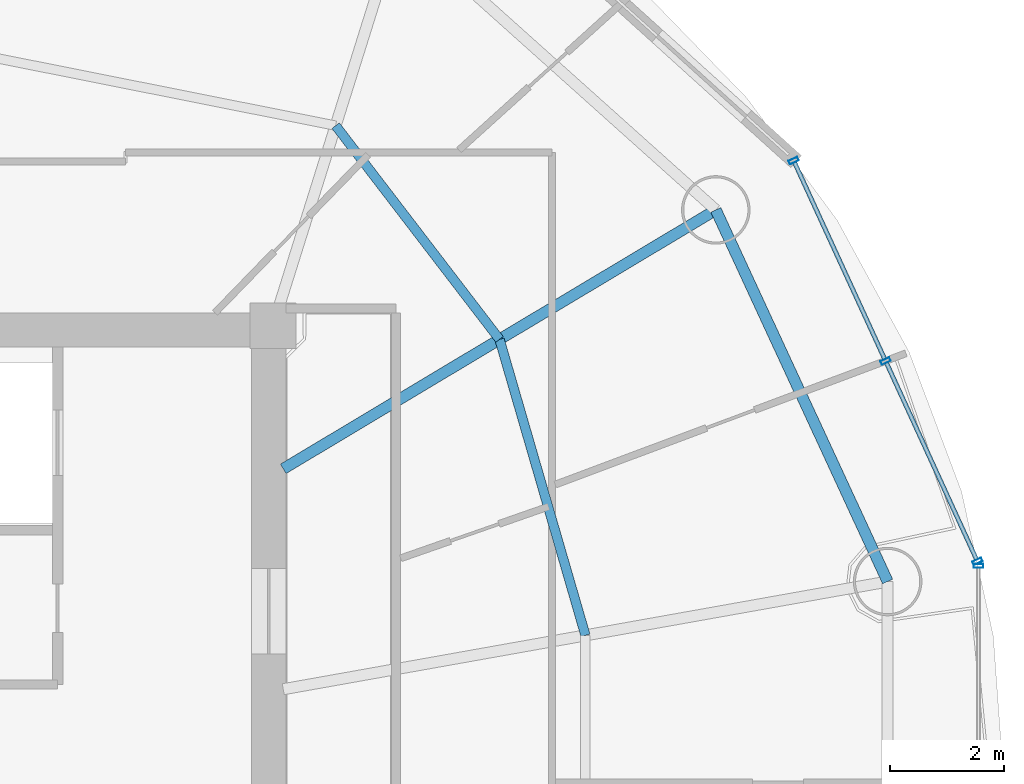
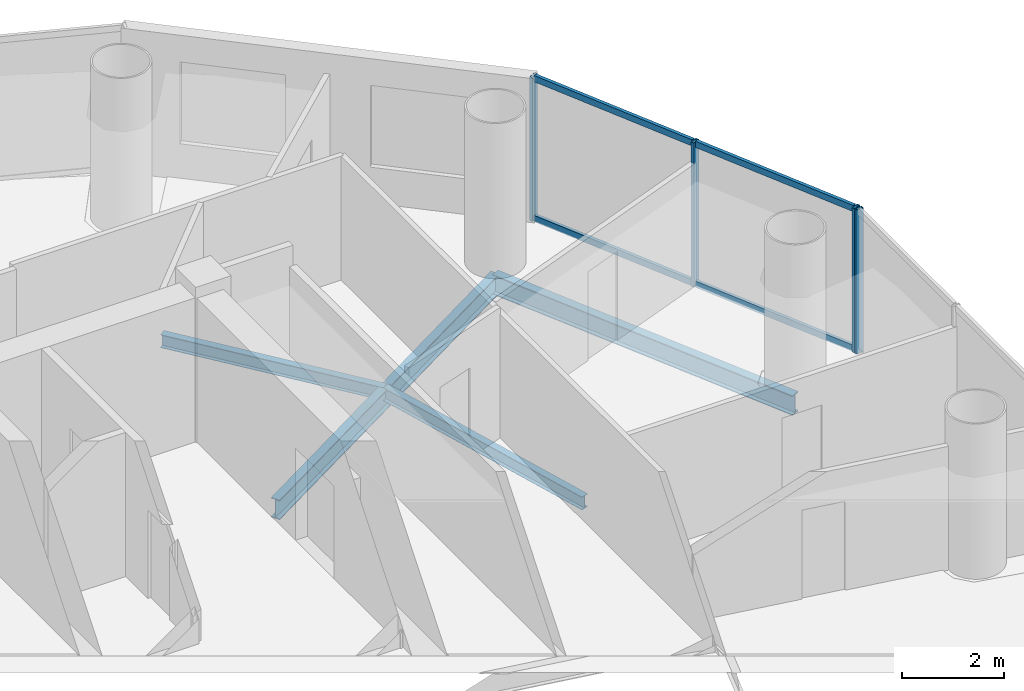
# One storey, part 14 of 26: 8 members, 4 beams, 2 elements without a shape of their own.
"""IFC4 building model written with IfcOpenShell, lengths in metres."""

import ifcopenshell
import ifcopenshell.guid

model = None  # the IFC model being written
_history = None  # IfcOwnerHistory: only IFC2X3 demands one
_inside = {}  # id of a spatial element -> (the spatial element, [elements in it])
_under = {}  # id of a project, library or spatial element -> (it, [spatial elements below it])
_declared = {}  # id of a project -> (the project, [libraries it declares])
_typed = {}  # id of a type object -> (the type object, [elements of that type])
_made_of = {}  # id of a material, layer set ... -> (it, [elements and type objects made of it])


def new_model(schema):
    """Start an empty IFC model of exactly this schema.

    Asked for "IFC4X3", IfcOpenShell would pick the latest addendum, in which some entities
    have other attributes; the version numbers below select the first issue.
    IFC2X3 requires an IfcOwnerHistory on every rooted entity: one is made here for all.
    """
    global model, _history
    if schema == "IFC4X3":
        model = ifcopenshell.file(schema_version=(4, 3, 0, 0))
    else:
        model = ifcopenshell.file(schema=schema)
    _inside.clear()
    _under.clear()
    _declared.clear()
    _typed.clear()
    _made_of.clear()
    _history = None
    if model.schema == "IFC2X3":
        org = make("IfcOrganization", Name="unknown")
        user = make(
            "IfcPersonAndOrganization",
            ThePerson=make("IfcPerson", FamilyName="unknown"),
            TheOrganization=org,
        )
        app = make(
            "IfcApplication",
            ApplicationDeveloper=org,
            Version="unknown",
            ApplicationFullName="unknown",
            ApplicationIdentifier="unknown",
        )
        _history = make(
            "IfcOwnerHistory",
            OwningUser=user,
            OwningApplication=app,
            ChangeAction="ADDED",
            CreationDate=0,
        )
    return model


def make(cls, **values):
    """One entity of the class cls with the attributes given. An attribute that is None is left unset."""
    return model.create_entity(
        cls, **{name: value for name, value in values.items() if value is not None}
    )


def rooted(cls, **values):
    """An entity with a GlobalId (a new one), such as an element, a storey or a relation."""
    return make(cls, GlobalId=ifcopenshell.guid.new(), OwnerHistory=_history, **values)


def si_unit(unit_type, name, prefix=None):
    """IfcSIUnit, for example si_unit("LENGTHUNIT", "METRE", prefix="MILLI")."""
    return make("IfcSIUnit", UnitType=unit_type, Prefix=prefix, Name=name)


def assignment(units):
    """IfcUnitAssignment: the units of a project."""
    return None if units is None else make("IfcUnitAssignment", Units=units)


def point(xyz):
    """IfcCartesianPoint."""
    return None if xyz is None else make("IfcCartesianPoint", Coordinates=xyz)


def direction(xyz):
    """IfcDirection."""
    return None if xyz is None else make("IfcDirection", DirectionRatios=xyz)


def frame(location, z_axis=None, x_axis=None):
    """IfcAxis2Placement3D, a coordinate frame: its origin and axes. An axis left out is left unset."""
    return make(
        "IfcAxis2Placement3D",
        Location=point(location),
        Axis=direction(z_axis),
        RefDirection=direction(x_axis),
    )


def frame_2d(location, x_axis=None):
    """IfcAxis2Placement2D, a coordinate frame in the plane: its origin and x axis."""
    return make(
        "IfcAxis2Placement2D", Location=point(location), RefDirection=direction(x_axis)
    )


def origin():
    """The frame at (0, 0, 0) with its axes left unset."""
    return frame((0.0, 0.0, 0.0))


def origin_2d():
    """The frame at (0, 0) in the plane with its x axis left unset."""
    return frame_2d((0.0, 0.0))


def place(relative_to, where):
    """IfcLocalPlacement: puts the frame where relative to a parent placement (None: the world)."""
    return make(
        "IfcLocalPlacement", PlacementRelTo=relative_to, RelativePlacement=where
    )


def context(
    kind, dimensions, precision=None, world=None, true_north=None, identifier=None
):
    """IfcGeometricRepresentationContext, for example the 3D "Model" context."""
    return make(
        "IfcGeometricRepresentationContext",
        ContextIdentifier=identifier,
        ContextType=kind,
        CoordinateSpaceDimension=dimensions,
        Precision=precision,
        WorldCoordinateSystem=world,
        TrueNorth=true_north,
    )


def subcontext(parent, identifier, kind, view, scale=None):
    """IfcGeometricRepresentationSubContext, for example "Body" below "Model"."""
    return make(
        "IfcGeometricRepresentationSubContext",
        ContextIdentifier=identifier,
        ContextType=kind,
        ParentContext=parent,
        TargetScale=scale,
        TargetView=view,
    )


def project(units=None, contexts=None):
    """IfcProject with its units and contexts."""
    return rooted(
        "IfcProject",
        Name="project",
        RepresentationContexts=contexts,
        UnitsInContext=assignment(units),
    )


def spatial(cls, under=None, at=None, **own):
    """A site, building, storey or space (cls), placed at a placement, below another one or the project."""
    s = rooted(cls, ObjectPlacement=at, **own)
    if under is not None:
        _under.setdefault(under.id(), (under, []))[1].append(s)
    return s


def profile(cls, at=None, kind="AREA", **sizes):
    """A parametric profile (cls). Its sizes go by their IFC names, for example OverallWidth=200.0."""
    return make(cls, ProfileType=kind, Position=at, **sizes)


def hollow_rectangle(**sizes):
    """IfcRectangleHollowProfileDef."""
    return profile("IfcRectangleHollowProfileDef", **sizes)


def i_section(**sizes):
    """IfcIShapeProfileDef."""
    return profile("IfcIShapeProfileDef", **sizes)


def extrude(swept, where, along, depth):
    """IfcExtrudedAreaSolid: the profile swept, set in the frame where, extruded along a direction by depth."""
    return make(
        "IfcExtrudedAreaSolid",
        SweptArea=swept,
        Position=where,
        ExtrudedDirection=direction(along),
        Depth=depth,
    )


def shape(context_of_items, identifier, shape_type, items):
    """IfcShapeRepresentation: the items that make up one representation, for example the "Body"."""
    return make(
        "IfcShapeRepresentation",
        ContextOfItems=context_of_items,
        RepresentationIdentifier=identifier,
        RepresentationType=shape_type,
        Items=items,
    )


def source(mapping_origin, context_of_items, identifier, shape_type, items):
    """IfcRepresentationMap: a shape defined once, which mapped items show again and again."""
    return make(
        "IfcRepresentationMap",
        MappingOrigin=mapping_origin,
        MappedRepresentation=shape(context_of_items, identifier, shape_type, items),
    )


def transform(
    local_origin,
    x_axis=None,
    y_axis=None,
    z_axis=None,
    scale=None,
    scale2=None,
    scale3=None,
    uniform=True,
):
    """IfcCartesianTransformationOperator3D, or its non-uniform kind. x_axis, y_axis, z_axis: its Axis1, 2, 3."""
    if uniform:
        return make(
            "IfcCartesianTransformationOperator3D",
            Axis1=direction(x_axis),
            Axis2=direction(y_axis),
            LocalOrigin=point(local_origin),
            Scale=scale,
            Axis3=direction(z_axis),
        )
    return make(
        "IfcCartesianTransformationOperator3DnonUniform",
        Axis1=direction(x_axis),
        Axis2=direction(y_axis),
        LocalOrigin=point(local_origin),
        Scale=scale,
        Axis3=direction(z_axis),
        Scale2=scale2,
        Scale3=scale3,
    )


def mapped(mapping_source, mapping_target):
    """IfcMappedItem: shows the shape of a source again, moved by a transform."""
    return make(
        "IfcMappedItem", MappingSource=mapping_source, MappingTarget=mapping_target
    )


def material(Name=None, Category=None):
    """IfcMaterial."""
    return make("IfcMaterial", Name=Name, Category=Category)


def material_profile(
    of_material, cross_section, Name=None, Category=None, Priority=None
):
    """IfcMaterialProfile: a cross section and its material."""
    return make(
        "IfcMaterialProfile",
        Name=Name,
        Material=of_material,
        Profile=cross_section,
        Priority=Priority,
        Category=Category,
    )


def profile_set(profiles, Name=None, composite=None):
    """IfcMaterialProfileSet."""
    return make(
        "IfcMaterialProfileSet",
        Name=Name,
        MaterialProfiles=profiles,
        CompositeProfile=composite,
    )


def made_of(thing, what):
    """Note that an element or type object is made of a material, layer set ...; save() writes the relation."""
    if what is not None:
        _made_of.setdefault(what.id(), (what, []))[1].append(thing)
    return thing


def type_object(cls, material=None, **own):
    """A type object (cls), such as IfcWallType, which elements share."""
    return made_of(rooted(cls, **own), material)


def element(
    cls,
    number,
    at=None,
    inside=None,
    cuts=None,
    type_object=None,
    material=None,
    context=None,
    identifier="Body",
    shape_type=None,
    held_by="IfcProductDefinitionShape",
    body=None,
    shapes=None,
    **own,
):
    """One element of the class cls, such as IfcWall. Its Tag is "e" and its number.

    at: its placement. inside: the storey or other place that contains it. cuts: it is an
    opening in that element (IfcRelVoidsElement). A single representation is given by context,
    identifier, shape_type and body (its items); several are given by shapes. held_by: the class
    of the entity that holds the representations. save() writes the other relations.
    """
    e = rooted(cls, Tag="e%d" % number, ObjectPlacement=at, **own)
    if body is not None:
        shapes = [shape(context, identifier, shape_type, body)]
    if shapes is not None:
        e.Representation = make(held_by, Representations=shapes)
    if inside is not None:
        _inside.setdefault(inside.id(), (inside, []))[1].append(e)
    if cuts is not None:
        rooted(
            "IfcRelVoidsElement", RelatingBuildingElement=cuts, RelatedOpeningElement=e
        )
    if type_object is not None:
        _typed.setdefault(type_object.id(), (type_object, []))[1].append(e)
    return made_of(e, material)


def aggregate(whole, parts):
    """IfcRelAggregates: a whole, such as a stair, and the parts it consists of."""
    return rooted("IfcRelAggregates", RelatingObject=whole, RelatedObjects=parts)


def save(model, path):
    """Write the relations noted so far, then the file.

    IfcRelAggregates (storeys below a building ...), IfcRelContainedInSpatialStructure (elements
    in a storey), IfcRelDefinesByType, IfcRelAssociatesMaterial and IfcRelDeclares: one each for
    every whole, place, type object, material and project.
    """
    for whole, parts in _under.values():
        aggregate(whole, parts)
    for where, things in _inside.values():
        rooted(
            "IfcRelContainedInSpatialStructure",
            RelatedElements=things,
            RelatingStructure=where,
        )
    for kind, things in _typed.values():
        rooted("IfcRelDefinesByType", RelatedObjects=things, RelatingType=kind)
    for what, things in _made_of.values():
        rooted("IfcRelAssociatesMaterial", RelatedObjects=things, RelatingMaterial=what)
    for by, libraries in _declared.values():
        rooted("IfcRelDeclares", RelatingContext=by, RelatedDefinitions=libraries)
    model.write(path)


model = new_model("IFC4")

# Units and contexts
model_context = context("Model", 3, precision=1e-05, world=origin(), true_north=direction((-0.2419218956, 0.970295726276)))
body_context = subcontext(model_context, "Body", "Model", "MODEL_VIEW")
ifc_project = project(units=[si_unit("LENGTHUNIT", "METRE"), si_unit("AREAUNIT", "SQUARE_METRE"), si_unit("VOLUMEUNIT", "CUBIC_METRE"), si_unit("PLANEANGLEUNIT", "RADIAN"), si_unit("MASSUNIT", "GRAM", prefix="KILO")], contexts=[model_context])

# Site, building, storey
site_placement = place(None, origin())
site = spatial("IfcSite", under=ifc_project, at=site_placement, CompositionType="ELEMENT")
building_placement = place(site_placement, origin())
building = spatial("IfcBuilding", under=site, at=building_placement, Name="Cobrevalo Terracotta Tower", CompositionType="ELEMENT")
storey_placement = place(building_placement, frame((0.0, 0.0, 231.89990234375)))
storey = spatial("IfcBuildingStorey", under=building, at=storey_placement, Name="L61", CompositionType="ELEMENT", Elevation=231.89990234375)

# Beams
ifc_material_1 = material(Name="Steel S355", Category="steel")
ifc_material_profile_1 = material_profile(ifc_material_1, i_section(OverallWidth=0.194091796875, OverallDepth=0.468994140625, WebThickness=0.011474609375, FlangeThickness=0.0205078125, at=origin_2d()), Name="W 460x106")
ifc_profile_set_1 = profile_set([ifc_material_profile_1], Name="Steel S355")
beam_type_1 = type_object("IfcBeamType", Name="Structural Beam W 460x106 (Steel S355)", PredefinedType="BEAM", material=ifc_profile_set_1)
beam_1_placement = place(storey_placement, frame((54.754150390625, 36.828125, -0.49951171875), z_axis=(-0.858046392192, -0.513572184651, 0.0), x_axis=(0.513572184651, -0.858046392192, 0.0)))
element("IfcBeam", 1, at=beam_1_placement, inside=storey, type_object=beam_type_1, Name="L61 radial floor girder 02", PredefinedType="BEAM", context=body_context, shape_type="SweptSolid", body=[
    extrude(i_section(OverallWidth=0.194091796875, OverallDepth=0.468994140625, WebThickness=0.011474609375, FlangeThickness=0.0205078125, at=origin_2d()), origin(), (0.0, 0.0, 1.0), 8.827392578125),
])
ifc_material_profile_2 = material_profile(ifc_material_1, i_section(OverallWidth=0.1650390625, OverallDepth=0.31005859375, WebThickness=0.005859375, FlangeThickness=0.009765625, at=origin_2d()), Name="W 310x38.7")
ifc_profile_set_2 = profile_set([ifc_material_profile_2], Name="Steel S355")
beam_type_2 = type_object("IfcBeamType", Name="Structural Joist W 310x38.7 (Steel S355)", PredefinedType="JOIST", material=ifc_profile_set_2)
beam_2_placement = place(storey_placement, frame((52.471435546875, 29.378662109375, -0.419921875), z_axis=(-0.278769817131, 0.960357948401, 0.0), x_axis=(-0.960357948401, -0.278769817131, 0.0)))
element("IfcBeam", 2, at=beam_2_placement, inside=storey, type_object=beam_type_2, Name="L61 circumferential secondary floor joist 01", PredefinedType="JOIST", context=body_context, shape_type="SweptSolid", body=[
    extrude(i_section(OverallWidth=0.1650390625, OverallDepth=0.31005859375, WebThickness=0.005859375, FlangeThickness=0.009765625, at=origin_2d()), origin(), (0.0, 0.0, 1.0), 5.396484375),
])
beam_3_placement = place(storey_placement, frame((50.967041015625, 34.561279296875, -0.419921875), z_axis=(-0.608464146296, 0.793581364872, 0.0), x_axis=(-0.793581364872, -0.608464146296, 0.0)))
element("IfcBeam", 3, at=beam_3_placement, inside=storey, type_object=beam_type_2, Name="L61 circumferential secondary floor joist 02", PredefinedType="JOIST", context=body_context, shape_type="SweptSolid", body=[
    extrude(i_section(OverallWidth=0.1650390625, OverallDepth=0.31005859375, WebThickness=0.005859375, FlangeThickness=0.009765625, at=origin_2d()), origin(), (0.0, 0.0, 1.0), 4.716064453125),
])
ifc_material_profile_3 = material_profile(ifc_material_1, i_section(OverallWidth=0.194091796875, OverallDepth=0.468994140625, WebThickness=0.011474609375, FlangeThickness=0.0205078125, at=origin_2d()), Name="W 460x106")
ifc_profile_set_3 = profile_set([ifc_material_profile_3], Name="Steel S355")
beam_type_3 = type_object("IfcBeamType", Name="Structural Spandrel W 460x106 (Steel S355)", PredefinedType="SPANDREL", material=ifc_profile_set_3)
beam_4_placement = place(storey_placement, frame((57.762939453125, 30.3212890625, -0.49951171875), z_axis=(-0.419705965131, 0.907660125176, 0.0), x_axis=(-0.907660125176, -0.419705965131, 0.0)))
element("IfcBeam", 4, at=beam_4_placement, inside=storey, type_object=beam_type_3, Name="L61 perimeter ring spandrel 01", PredefinedType="SPANDREL", context=body_context, shape_type="SweptSolid", body=[
    extrude(i_section(OverallWidth=0.194091796875, OverallDepth=0.468994140625, WebThickness=0.011474609375, FlangeThickness=0.0205078125, at=origin_2d()), origin(), (0.0, 0.0, 1.0), 7.168701171875),
])

# Curtain wall, members
ifc_material_2 = material(Name="Anodized aluminium", Category="aluminium")
curtain_wall_type = type_object("IfcCurtainWallType", Name="Mid-tower high-wind unitised curtain wall CW-U2", PredefinedType="NOTDEFINED", material=ifc_material_2)
curtain_wall_1_placement = place(storey_placement, origin())
curtain_wall_1 = element("IfcCurtainWall", 5, at=curtain_wall_1_placement, inside=storey, type_object=curtain_wall_type, Name="L61 curtain wall CW-L61-S01", PredefinedType="NOTDEFINED")
ifc_material_profile_4 = material_profile(ifc_material_2, hollow_rectangle(XDim=0.074951171875, YDim=0.14990234375, WallThickness=0.00439453125, at=origin_2d()), Name="CWT 75x150")
ifc_profile_set_4 = profile_set([ifc_material_profile_4], Name="Anodized aluminium")
member_type_1 = type_object("IfcMemberType", Name="Tower unitised aluminium transom 75x150", PredefinedType="USERDEFINED", material=ifc_profile_set_4)
shared_shape_1 = source(origin(), body_context, "Body", "SweptSolid", [
    extrude(hollow_rectangle(XDim=0.074951171875, YDim=0.14990234375, WallThickness=0.00439453125, at=origin_2d()), origin(), (0.0, 0.0, 1.0), 3.780029296875),
])
member_1_placement = place(storey_placement, frame((59.318359375, 30.710205078125, 0.050048828125), z_axis=(-0.416705859352, 0.909041377926, 0.0), x_axis=(-0.909041377926, -0.416705859352, 0.0)))
member_1 = element("IfcMember", 6, at=member_1_placement, type_object=member_type_1, Name="CW-L61-S01 transom B01-T1", ObjectType="TRANSOM", PredefinedType="USERDEFINED", context=body_context, shape_type="MappedRepresentation", body=[
    mapped(shared_shape_1, transform((0.0, 0.0, 0.0), scale=1.0)),
])
member_2_placement = place(storey_placement, frame((59.318359375, 30.710205078125, 3.385009765625), z_axis=(-0.416705859352, 0.909041377926, 0.0), x_axis=(-0.909041377926, -0.416705859352, 0.0)))
member_2 = element("IfcMember", 7, at=member_2_placement, type_object=member_type_1, Name="CW-L61-S01 transom B01-T2", ObjectType="TRANSOM", PredefinedType="USERDEFINED", context=body_context, shape_type="MappedRepresentation", body=[
    mapped(shared_shape_1, transform((0.0, 0.0, 0.0), scale=1.0)),
])
member_3_placement = place(storey_placement, frame((57.709716796875, 34.218994140625, 0.050048828125), z_axis=(-0.416705859352, 0.909041377926, 0.0), x_axis=(-0.909041377926, -0.416705859352, 0.0)))
member_3 = element("IfcMember", 8, at=member_3_placement, type_object=member_type_1, Name="CW-L61-S01 transom B02-T1", ObjectType="TRANSOM", PredefinedType="USERDEFINED", context=body_context, shape_type="MappedRepresentation", body=[
    mapped(shared_shape_1, transform((0.0, 0.0, 0.0), scale=1.0)),
])
member_4_placement = place(storey_placement, frame((57.709716796875, 34.218994140625, 3.385009765625), z_axis=(-0.416705859352, 0.909041377926, 0.0), x_axis=(-0.909041377926, -0.416705859352, 0.0)))
member_4 = element("IfcMember", 9, at=member_4_placement, type_object=member_type_1, Name="CW-L61-S01 transom B02-T2", ObjectType="TRANSOM", PredefinedType="USERDEFINED", context=body_context, shape_type="MappedRepresentation", body=[
    mapped(shared_shape_1, transform((0.0, 0.0, 0.0), scale=1.0)),
])
ifc_material_profile_5 = material_profile(ifc_material_2, hollow_rectangle(XDim=0.070068359375, YDim=0.169921875, WallThickness=0.00439453125, at=origin_2d()), Name="CWM 70x170")
ifc_profile_set_5 = profile_set([ifc_material_profile_5], Name="Anodized aluminium")
member_type_2 = type_object("IfcMemberType", Name="Upper tower unitised mullion 70x170", PredefinedType="MULLION", material=ifc_profile_set_5)
shared_shape_2 = source(origin(), body_context, "Body", "SweptSolid", [
    extrude(hollow_rectangle(XDim=0.070068359375, YDim=0.169921875, WallThickness=0.00439453125, at=origin_2d()), origin(), (0.0, 0.0, 1.0), 3.43505859375),
])
member_5_placement = place(storey_placement, frame((59.3349609375, 30.673828125, 0.0), z_axis=(0.0, 0.0, 1.0), x_axis=(-0.41672507912, 0.909032567311, 0.0)))
member_5 = element("IfcMember", 10, at=member_5_placement, type_object=member_type_2, Name="CW-L61-S01 vertical mullion 01", PredefinedType="MULLION", context=body_context, shape_type="MappedRepresentation", body=[
    mapped(shared_shape_2, transform((0.0, 0.0, 0.0), scale=1.0)),
])
member_6_placement = place(storey_placement, frame((57.726318359375, 34.182861328125, 0.0), z_axis=(0.0, 0.0, 1.0), x_axis=(-0.41672507912, 0.909032567311, 0.0)))
member_6 = element("IfcMember", 11, at=member_6_placement, type_object=member_type_2, Name="CW-L61-S01 vertical mullion 02", PredefinedType="MULLION", context=body_context, shape_type="MappedRepresentation", body=[
    mapped(shared_shape_2, transform((0.0, 0.0, 0.0), scale=1.0)),
])
member_7_placement = place(storey_placement, frame((56.11767578125, 37.691650390625, 0.0), z_axis=(0.0, 0.0, 1.0), x_axis=(-0.41672507912, 0.909032567311, 0.0)))
member_7 = element("IfcMember", 12, at=member_7_placement, type_object=member_type_2, Name="CW-L61-S01 vertical mullion 03", PredefinedType="MULLION", context=body_context, shape_type="MappedRepresentation", body=[
    mapped(shared_shape_2, transform((0.0, 0.0, 0.0), scale=1.0)),
])
aggregate(curtain_wall_1, [member_5, member_6, member_7, member_1, member_2, member_3, member_4])

# Curtain wall, member
curtain_wall_2_placement = place(storey_placement, origin())
curtain_wall_2 = element("IfcCurtainWall", 13, at=curtain_wall_2_placement, inside=storey, type_object=curtain_wall_type, Name="L61 curtain wall CW-L61-S16", PredefinedType="NOTDEFINED")
member_8_placement = place(storey_placement, frame((59.351806640625, 30.597412109375, 0.0), z_axis=(0.0, 0.0, 1.0), x_axis=(0.0, 1.0, 0.0)))
member_8 = element("IfcMember", 14, at=member_8_placement, type_object=member_type_2, Name="CW-L61-S16 vertical mullion 03", PredefinedType="MULLION", context=body_context, shape_type="MappedRepresentation", body=[
    mapped(shared_shape_2, transform((0.0, 0.0, 0.0), scale=1.0)),
])
aggregate(curtain_wall_2, [member_8])

save(model, "model.ifc")
